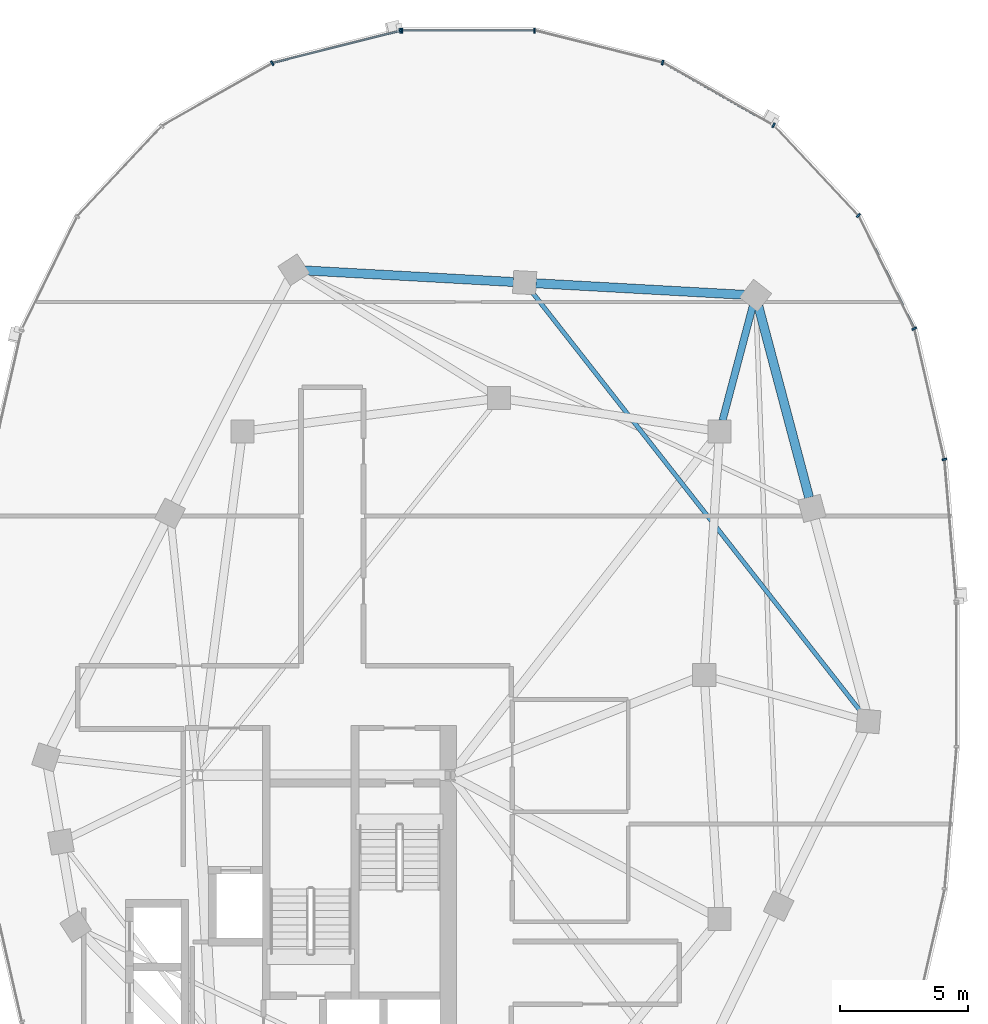
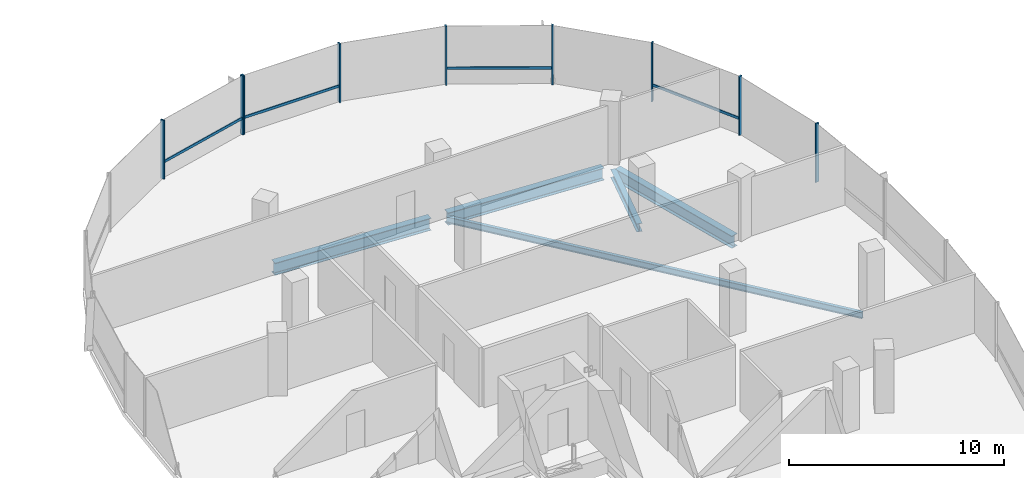
# One storey, part 12 of 25: 13 members, 5 beams, 2 elements without a shape of their own.
"""IFC4 building model written with IfcOpenShell, lengths in metres."""

import ifcopenshell
import ifcopenshell.guid

model = None  # the IFC model being written
_history = None  # IfcOwnerHistory: only IFC2X3 demands one
_inside = {}  # id of a spatial element -> (the spatial element, [elements in it])
_under = {}  # id of a project, library or spatial element -> (it, [spatial elements below it])
_declared = {}  # id of a project -> (the project, [libraries it declares])
_typed = {}  # id of a type object -> (the type object, [elements of that type])
_made_of = {}  # id of a material, layer set ... -> (it, [elements and type objects made of it])


def new_model(schema):
    """Start an empty IFC model of exactly this schema.

    Asked for "IFC4X3", IfcOpenShell would pick the latest addendum, in which some entities
    have other attributes; the version numbers below select the first issue.
    IFC2X3 requires an IfcOwnerHistory on every rooted entity: one is made here for all.
    """
    global model, _history
    if schema == "IFC4X3":
        model = ifcopenshell.file(schema_version=(4, 3, 0, 0))
    else:
        model = ifcopenshell.file(schema=schema)
    _inside.clear()
    _under.clear()
    _declared.clear()
    _typed.clear()
    _made_of.clear()
    _history = None
    if model.schema == "IFC2X3":
        org = make("IfcOrganization", Name="unknown")
        user = make(
            "IfcPersonAndOrganization",
            ThePerson=make("IfcPerson", FamilyName="unknown"),
            TheOrganization=org,
        )
        app = make(
            "IfcApplication",
            ApplicationDeveloper=org,
            Version="unknown",
            ApplicationFullName="unknown",
            ApplicationIdentifier="unknown",
        )
        _history = make(
            "IfcOwnerHistory",
            OwningUser=user,
            OwningApplication=app,
            ChangeAction="ADDED",
            CreationDate=0,
        )
    return model


def make(cls, **values):
    """One entity of the class cls with the attributes given. An attribute that is None is left unset."""
    return model.create_entity(
        cls, **{name: value for name, value in values.items() if value is not None}
    )


def rooted(cls, **values):
    """An entity with a GlobalId (a new one), such as an element, a storey or a relation."""
    return make(cls, GlobalId=ifcopenshell.guid.new(), OwnerHistory=_history, **values)


def si_unit(unit_type, name, prefix=None):
    """IfcSIUnit, for example si_unit("LENGTHUNIT", "METRE", prefix="MILLI")."""
    return make("IfcSIUnit", UnitType=unit_type, Prefix=prefix, Name=name)


def assignment(units):
    """IfcUnitAssignment: the units of a project."""
    return None if units is None else make("IfcUnitAssignment", Units=units)


def point(xyz):
    """IfcCartesianPoint."""
    return None if xyz is None else make("IfcCartesianPoint", Coordinates=xyz)


def direction(xyz):
    """IfcDirection."""
    return None if xyz is None else make("IfcDirection", DirectionRatios=xyz)


def frame(location, z_axis=None, x_axis=None):
    """IfcAxis2Placement3D, a coordinate frame: its origin and axes. An axis left out is left unset."""
    return make(
        "IfcAxis2Placement3D",
        Location=point(location),
        Axis=direction(z_axis),
        RefDirection=direction(x_axis),
    )


def frame_2d(location, x_axis=None):
    """IfcAxis2Placement2D, a coordinate frame in the plane: its origin and x axis."""
    return make(
        "IfcAxis2Placement2D", Location=point(location), RefDirection=direction(x_axis)
    )


def origin():
    """The frame at (0, 0, 0) with its axes left unset."""
    return frame((0.0, 0.0, 0.0))


def origin_2d():
    """The frame at (0, 0) in the plane with its x axis left unset."""
    return frame_2d((0.0, 0.0))


def place(relative_to, where):
    """IfcLocalPlacement: puts the frame where relative to a parent placement (None: the world)."""
    return make(
        "IfcLocalPlacement", PlacementRelTo=relative_to, RelativePlacement=where
    )


def context(
    kind, dimensions, precision=None, world=None, true_north=None, identifier=None
):
    """IfcGeometricRepresentationContext, for example the 3D "Model" context."""
    return make(
        "IfcGeometricRepresentationContext",
        ContextIdentifier=identifier,
        ContextType=kind,
        CoordinateSpaceDimension=dimensions,
        Precision=precision,
        WorldCoordinateSystem=world,
        TrueNorth=true_north,
    )


def subcontext(parent, identifier, kind, view, scale=None):
    """IfcGeometricRepresentationSubContext, for example "Body" below "Model"."""
    return make(
        "IfcGeometricRepresentationSubContext",
        ContextIdentifier=identifier,
        ContextType=kind,
        ParentContext=parent,
        TargetScale=scale,
        TargetView=view,
    )


def project(units=None, contexts=None):
    """IfcProject with its units and contexts."""
    return rooted(
        "IfcProject",
        Name="project",
        RepresentationContexts=contexts,
        UnitsInContext=assignment(units),
    )


def spatial(cls, under=None, at=None, **own):
    """A site, building, storey or space (cls), placed at a placement, below another one or the project."""
    s = rooted(cls, ObjectPlacement=at, **own)
    if under is not None:
        _under.setdefault(under.id(), (under, []))[1].append(s)
    return s


def profile(cls, at=None, kind="AREA", **sizes):
    """A parametric profile (cls). Its sizes go by their IFC names, for example OverallWidth=200.0."""
    return make(cls, ProfileType=kind, Position=at, **sizes)


def rectangle(**sizes):
    """IfcRectangleProfileDef."""
    return profile("IfcRectangleProfileDef", **sizes)


def i_section(**sizes):
    """IfcIShapeProfileDef."""
    return profile("IfcIShapeProfileDef", **sizes)


def extrude(swept, where, along, depth):
    """IfcExtrudedAreaSolid: the profile swept, set in the frame where, extruded along a direction by depth."""
    return make(
        "IfcExtrudedAreaSolid",
        SweptArea=swept,
        Position=where,
        ExtrudedDirection=direction(along),
        Depth=depth,
    )


def shape(context_of_items, identifier, shape_type, items):
    """IfcShapeRepresentation: the items that make up one representation, for example the "Body"."""
    return make(
        "IfcShapeRepresentation",
        ContextOfItems=context_of_items,
        RepresentationIdentifier=identifier,
        RepresentationType=shape_type,
        Items=items,
    )


def material(Name=None, Category=None):
    """IfcMaterial."""
    return make("IfcMaterial", Name=Name, Category=Category)


def material_profile(
    of_material, cross_section, Name=None, Category=None, Priority=None
):
    """IfcMaterialProfile: a cross section and its material."""
    return make(
        "IfcMaterialProfile",
        Name=Name,
        Material=of_material,
        Profile=cross_section,
        Priority=Priority,
        Category=Category,
    )


def profile_set(profiles, Name=None, composite=None):
    """IfcMaterialProfileSet."""
    return make(
        "IfcMaterialProfileSet",
        Name=Name,
        MaterialProfiles=profiles,
        CompositeProfile=composite,
    )


def made_of(thing, what):
    """Note that an element or type object is made of a material, layer set ...; save() writes the relation."""
    if what is not None:
        _made_of.setdefault(what.id(), (what, []))[1].append(thing)
    return thing


def type_object(cls, material=None, **own):
    """A type object (cls), such as IfcWallType, which elements share."""
    return made_of(rooted(cls, **own), material)


def element(
    cls,
    number,
    at=None,
    inside=None,
    cuts=None,
    type_object=None,
    material=None,
    context=None,
    identifier="Body",
    shape_type=None,
    held_by="IfcProductDefinitionShape",
    body=None,
    shapes=None,
    **own,
):
    """One element of the class cls, such as IfcWall. Its Tag is "e" and its number.

    at: its placement. inside: the storey or other place that contains it. cuts: it is an
    opening in that element (IfcRelVoidsElement). A single representation is given by context,
    identifier, shape_type and body (its items); several are given by shapes. held_by: the class
    of the entity that holds the representations. save() writes the other relations.
    """
    e = rooted(cls, Tag="e%d" % number, ObjectPlacement=at, **own)
    if body is not None:
        shapes = [shape(context, identifier, shape_type, body)]
    if shapes is not None:
        e.Representation = make(held_by, Representations=shapes)
    if inside is not None:
        _inside.setdefault(inside.id(), (inside, []))[1].append(e)
    if cuts is not None:
        rooted(
            "IfcRelVoidsElement", RelatingBuildingElement=cuts, RelatedOpeningElement=e
        )
    if type_object is not None:
        _typed.setdefault(type_object.id(), (type_object, []))[1].append(e)
    return made_of(e, material)


def aggregate(whole, parts):
    """IfcRelAggregates: a whole, such as a stair, and the parts it consists of."""
    return rooted("IfcRelAggregates", RelatingObject=whole, RelatedObjects=parts)


def save(model, path):
    """Write the relations noted so far, then the file.

    IfcRelAggregates (storeys below a building ...), IfcRelContainedInSpatialStructure (elements
    in a storey), IfcRelDefinesByType, IfcRelAssociatesMaterial and IfcRelDeclares: one each for
    every whole, place, type object, material and project.
    """
    for whole, parts in _under.values():
        aggregate(whole, parts)
    for where, things in _inside.values():
        rooted(
            "IfcRelContainedInSpatialStructure",
            RelatedElements=things,
            RelatingStructure=where,
        )
    for kind, things in _typed.values():
        rooted("IfcRelDefinesByType", RelatedObjects=things, RelatingType=kind)
    for what, things in _made_of.values():
        rooted("IfcRelAssociatesMaterial", RelatedObjects=things, RelatingMaterial=what)
    for by, libraries in _declared.values():
        rooted("IfcRelDeclares", RelatingContext=by, RelatedDefinitions=libraries)
    model.write(path)


model = new_model("IFC4")

# Units and contexts
model_context = context("Model", 3, precision=1e-05, world=origin(), true_north=direction((0.0, 1.0)))
body_context = subcontext(model_context, "Body", "Model", "MODEL_VIEW")
ifc_project = project(units=[si_unit("LENGTHUNIT", "METRE"), si_unit("AREAUNIT", "SQUARE_METRE"), si_unit("VOLUMEUNIT", "CUBIC_METRE"), si_unit("PLANEANGLEUNIT", "RADIAN"), si_unit("MASSUNIT", "GRAM", prefix="KILO"), si_unit("THERMODYNAMICTEMPERATUREUNIT", "KELVIN"), si_unit("POWERUNIT", "WATT")], contexts=[model_context])

# Site, building, storey
site_placement = place(None, origin())
site = spatial("IfcSite", under=ifc_project, at=site_placement, CompositionType="ELEMENT")
building_placement = place(site_placement, origin())
building = spatial("IfcBuilding", under=site, at=building_placement, Name="Cundina Bronze Exchange", CompositionType="ELEMENT")
storey_placement = place(building_placement, frame((0.0, 0.0, 224.199951171875)))
storey = spatial("IfcBuildingStorey", under=building, at=storey_placement, Name="L59", CompositionType="ELEMENT", Elevation=224.199951171875)

# Beams
ifc_material_1 = material(Name="Steel ASTM A992 Grade 50", Category="steel")
ifc_material_profile_1 = material_profile(ifc_material_1, i_section(OverallWidth=0.280029296875, OverallDepth=0.462890625, WebThickness=0.0107421875, FlangeThickness=0.017333984375, FilletRadius=0.011962890625, at=origin_2d()), Name="W18X76", Category="steel")
ifc_profile_set_1 = profile_set([ifc_material_profile_1], Name="Steel ASTM A992 Grade 50")
beam_type_1 = type_object("IfcBeamType", Name="BM-FLR-W18A", PredefinedType="BEAM", material=ifc_profile_set_1)
beam_1_placement = place(storey_placement, frame((41.911865234375, 9.923583984375, -0.491455078125), z_axis=(0.255398602339, 0.96683584642, 0.0), x_axis=(-0.96683584642, 0.255398602339, 0.0)))
element("IfcBeam", 1, at=beam_1_placement, inside=storey, type_object=beam_type_1, Name="L59 Leg E Chordal Floor Beam 10", PredefinedType="BEAM", context=body_context, shape_type="SweptSolid", body=[
    extrude(i_section(OverallWidth=0.280029296875, OverallDepth=0.462890625, WebThickness=0.0107421875, FlangeThickness=0.017333984375, FilletRadius=0.011962890625, at=origin_2d()), origin(), (0.0, 0.0, 1.0), 4.605712890625),
])
ifc_material_profile_2 = material_profile(ifc_material_1, i_section(OverallWidth=0.172119140625, OverallDepth=0.35791015625, WebThickness=0.0078125, FlangeThickness=0.01318359375, FilletRadius=0.010009765625, at=origin_2d()), Name="W14X38", Category="steel")
ifc_profile_set_2 = profile_set([ifc_material_profile_2], Name="Steel ASTM A992 Grade 50")
beam_type_2 = type_object("IfcBeamType", Name="BM-JST-W14", PredefinedType="JOIST", material=ifc_profile_set_2)
beam_2_placement = place(storey_placement, frame((47.329833984375, -1.455078125, -0.43896484375), z_axis=(-0.616810493522, 0.787111691618, 0.0), x_axis=(-0.787111691618, -0.616810493522, 0.0)))
element("IfcBeam", 2, at=beam_2_placement, inside=storey, type_object=beam_type_2, Name="L59 Leg E Lobe Floor Joist 08-11", PredefinedType="JOIST", context=body_context, shape_type="SweptSolid", body=[
    extrude(i_section(OverallWidth=0.172119140625, OverallDepth=0.35791015625, WebThickness=0.0078125, FlangeThickness=0.01318359375, FilletRadius=0.010009765625, at=origin_2d()), origin(), (0.0, 0.0, 1.0), 20.8486328125),
])
ifc_material_profile_3 = material_profile(ifc_material_1, i_section(OverallWidth=0.35498046875, OverallDepth=0.695068359375, WebThickness=0.015380859375, FlangeThickness=0.02490234375, FilletRadius=0.01806640625, at=origin_2d()), Name="W27X146", Category="steel")
ifc_profile_set_3 = profile_set([ifc_material_profile_3], Name="Steel ASTM A992 Grade 50")
beam_type_3 = type_object("IfcBeamType", Name="BM-RING-W27", PredefinedType="USERDEFINED", material=ifc_profile_set_3)
beam_3_placement = place(storey_placement, frame((45.287841796875, 6.92333984375, -0.607421875), z_axis=(-0.256211934474, 0.966620631185, 0.0), x_axis=(-0.966620631185, -0.256211934474, 0.0)))
element("IfcBeam", 3, at=beam_3_placement, inside=storey, type_object=beam_type_3, Name="L59 E Perimeter Ring Girder 09", ObjectType="GIRDER", PredefinedType="USERDEFINED", context=body_context, shape_type="SweptSolid", body=[
    extrude(i_section(OverallWidth=0.35498046875, OverallDepth=0.695068359375, WebThickness=0.015380859375, FlangeThickness=0.02490234375, FilletRadius=0.01806640625, at=origin_2d()), origin(), (0.0, 0.0, 1.0), 7.710693359375),
])
for number, where, z_axis, x_axis, name in (
    (4, (42.7626953125, 14.82421875, -0.607421875), (-0.998460353205, 0.055470019623, 0.0), (-0.055470019623, -0.998460353205, 0.0), "L59 E Perimeter Ring Girder 10"),
    (5, (33.7626953125, 15.32421875, -0.607421875), (-0.998460353205, 0.055470019623, 0.0), (-0.055470019623, -0.998460353205, 0.0), "L59 E Perimeter Ring Girder 11"),
):
    element("IfcBeam", number, at=place(storey_placement, frame(where, z_axis=z_axis, x_axis=x_axis)), inside=storey, type_object=beam_type_3, Name=name, ObjectType="GIRDER", PredefinedType="USERDEFINED", context=body_context, shape_type="SweptSolid", body=[
        extrude(i_section(OverallWidth=0.35498046875, OverallDepth=0.695068359375, WebThickness=0.015380859375, FlangeThickness=0.02490234375, FilletRadius=0.01806640625, at=origin_2d()), origin(), (0.0, 0.0, 1.0), 8.137939453125),
    ])

# Curtain wall, members
ifc_material_2 = material(Name="Anodised Bronze Aluminium 6063-T6", Category="aluminium")
curtain_wall_type = type_object("IfcCurtainWallType", Name="CWS-UPP-OFF", PredefinedType="NOTDEFINED", material=ifc_material_2)
curtain_wall_1_placement = place(storey_placement, origin())
curtain_wall_1 = element("IfcCurtainWall", 6, at=curtain_wall_1_placement, inside=storey, type_object=curtain_wall_type, Name="L59 CW-05 Curtain Wall Run CWR-L59-E1", PredefinedType="NOTDEFINED")
ifc_material_profile_4 = material_profile(ifc_material_2, rectangle(XDim=0.070068359375, YDim=0.18994140625, at=origin_2d()), Name="AL70X190", Category="aluminium")
ifc_profile_set_4 = profile_set([ifc_material_profile_4], Name="Anodised Bronze Aluminium 6063-T6")
member_type_1 = type_object("IfcMemberType", Name="CWM-MUL-190", PredefinedType="MULLION", material=ifc_profile_set_4)
member_1_placement = place(storey_placement, frame((50.56005859375, 8.4111328125, 0.0), z_axis=(0.0, 0.0, 1.0), x_axis=(-0.223250116011, 0.974761194191, 0.0)))
member_1 = element("IfcMember", 7, at=member_1_placement, type_object=member_type_1, Name="CW-05 Mullion 2", PredefinedType="MULLION", context=body_context, shape_type="SweptSolid", body=[
    extrude(rectangle(XDim=0.070068359375, YDim=0.18994140625, at=origin_2d()), origin(), (0.0, 0.0, 1.0), 3.340087890625),
])
member_2_placement = place(storey_placement, frame((49.38427734375, 13.50732421875, 0.0), z_axis=(0.0, 0.0, 1.0), x_axis=(-0.440566004113, 0.897720221461, 0.0)))
member_2 = element("IfcMember", 8, at=member_2_placement, type_object=member_type_1, Name="CW-05 Mullion 3", PredefinedType="MULLION", context=body_context, shape_type="SweptSolid", body=[
    extrude(rectangle(XDim=0.070068359375, YDim=0.18994140625, at=origin_2d()), origin(), (0.0, 0.0, 1.0), 3.340087890625),
])
member_3_placement = place(storey_placement, frame((47.209716796875, 17.91796875, 0.0), z_axis=(0.0, 0.0, 1.0), x_axis=(-0.684292606175, 0.729207535023, 0.0)))
member_3 = element("IfcMember", 9, at=member_3_placement, type_object=member_type_1, Name="CW-05 Mullion 4", PredefinedType="MULLION", context=body_context, shape_type="SweptSolid", body=[
    extrude(rectangle(XDim=0.070068359375, YDim=0.18994140625, at=origin_2d()), origin(), (0.0, 0.0, 1.0), 3.340087890625),
])
member_4_placement = place(storey_placement, frame((43.899658203125, 21.43115234375, 0.0), z_axis=(0.0, 0.0, 1.0), x_axis=(-0.86958112538, 0.493790103568, 0.0)))
member_4 = element("IfcMember", 10, at=member_4_placement, type_object=member_type_1, Name="CW-05 Mullion 5", PredefinedType="MULLION", context=body_context, shape_type="SweptSolid", body=[
    extrude(rectangle(XDim=0.070068359375, YDim=0.18994140625, at=origin_2d()), origin(), (0.0, 0.0, 1.0), 3.340087890625),
])
member_5_placement = place(storey_placement, frame((39.577392578125, 23.87548828125, 0.0), z_axis=(0.0, 0.0, 1.0), x_axis=(-0.969744325821, 0.244122802168, 0.0)))
member_5 = element("IfcMember", 11, at=member_5_placement, type_object=member_type_1, Name="CW-05 Mullion 6", PredefinedType="MULLION", context=body_context, shape_type="SweptSolid", body=[
    extrude(rectangle(XDim=0.070068359375, YDim=0.18994140625, at=origin_2d()), origin(), (0.0, 0.0, 1.0), 3.340087890625),
])
member_6_placement = place(storey_placement, frame((34.580078125, 25.125, 0.0), z_axis=(0.0, 0.0, 1.0), x_axis=(-1.0, 0.0, 0.0)))
member_6 = element("IfcMember", 12, at=member_6_placement, type_object=member_type_1, Name="CW-05 Mullion 7", PredefinedType="MULLION", context=body_context, shape_type="SweptSolid", body=[
    extrude(rectangle(XDim=0.070068359375, YDim=0.18994140625, at=origin_2d()), origin(), (0.0, 0.0, 1.0), 3.340087890625),
])
member_7_placement = place(storey_placement, frame((29.419921875, 25.125, 0.0), z_axis=(0.0, 0.0, 1.0), x_axis=(-1.0, 0.0, 0.0)))
member_7 = element("IfcMember", 13, at=member_7_placement, type_object=member_type_1, Name="CW-05 End Mullion", PredefinedType="MULLION", context=body_context, shape_type="SweptSolid", body=[
    extrude(rectangle(XDim=0.070068359375, YDim=0.18994140625, at=origin_2d()), origin(), (0.0, 0.0, 1.0), 3.340087890625),
])

curtain_wall_2_placement = place(storey_placement, origin())
curtain_wall_2 = element("IfcCurtainWall", 14, at=curtain_wall_2_placement, inside=storey, type_object=curtain_wall_type, Name="L59 CW-05 Curtain Wall Run CWR-L59-E2", PredefinedType="NOTDEFINED")
member_8_placement = place(storey_placement, frame((29.3515625, 25.116455078125, 0.0), z_axis=(0.0, 0.0, 1.0), x_axis=(-0.969744325821, -0.244122802168, 0.0)))
member_8 = element("IfcMember", 15, at=member_8_placement, type_object=member_type_1, Name="CW-05 Mullion 1", PredefinedType="MULLION", context=body_context, shape_type="SweptSolid", body=[
    extrude(rectangle(XDim=0.070068359375, YDim=0.18994140625, at=origin_2d()), origin(), (0.0, 0.0, 1.0), 3.340087890625),
])
member_9_placement = place(storey_placement, frame((24.361083984375, 23.850830078125, 0.0), z_axis=(0.0, 0.0, 1.0), x_axis=(-0.86958112538, -0.493790103568, 0.0)))
member_9 = element("IfcMember", 16, at=member_9_placement, type_object=member_type_1, Name="CW-05 Mullion 2", PredefinedType="MULLION", context=body_context, shape_type="SweptSolid", body=[
    extrude(rectangle(XDim=0.070068359375, YDim=0.18994140625, at=origin_2d()), origin(), (0.0, 0.0, 1.0), 3.340087890625),
])

# Member
ifc_material_profile_5 = material_profile(ifc_material_2, rectangle(XDim=0.06494140625, YDim=0.14990234375, at=origin_2d()), Name="AL65X150", Category="aluminium")
ifc_profile_set_5 = profile_set([ifc_material_profile_5], Name="Anodised Bronze Aluminium 6063-T6")
member_type_2 = type_object("IfcMemberType", Name="CWM-TRN-150", PredefinedType="USERDEFINED", material=ifc_profile_set_5)
member_10_placement = place(storey_placement, frame((49.3671875, 13.5419921875, 0.920166015625), z_axis=(-0.440483110889, 0.897760897467, 0.0), x_axis=(-0.897760897467, -0.440483110889, 0.0)))
member_10 = element("IfcMember", 17, at=member_10_placement, type_object=member_type_2, Name="CW-05 Spandrel Transom 3", ObjectType="TRANSOM", PredefinedType="USERDEFINED", context=body_context, shape_type="SweptSolid", body=[
    extrude(rectangle(XDim=0.06494140625, YDim=0.14990234375, at=origin_2d()), origin(), (0.0, 0.0, 1.0), 4.855224609375),
])

member_11_placement = place(storey_placement, frame((43.8662109375, 21.4501953125, 0.920166015625), z_axis=(-0.869573748083, 0.493803095013, 0.0), x_axis=(-0.493803095013, -0.869573748083, 0.0)))
member_11 = element("IfcMember", 18, at=member_11_placement, type_object=member_type_2, Name="CW-05 Spandrel Transom 5", ObjectType="TRANSOM", PredefinedType="USERDEFINED", context=body_context, shape_type="SweptSolid", body=[
    extrude(rectangle(XDim=0.06494140625, YDim=0.14990234375, at=origin_2d()), origin(), (0.0, 0.0, 1.0), 4.900146484375),
])

member_12_placement = place(storey_placement, frame((34.54150390625, 25.125, 0.920166015625), z_axis=(-1.0, 0.0, 0.0), x_axis=(0.0, -1.0, 0.0)))
member_12 = element("IfcMember", 19, at=member_12_placement, type_object=member_type_2, Name="CW-05 Spandrel Transom 7", ObjectType="TRANSOM", PredefinedType="USERDEFINED", context=body_context, shape_type="SweptSolid", body=[
    extrude(rectangle(XDim=0.06494140625, YDim=0.14990234375, at=origin_2d()), origin(), (0.0, 0.0, 1.0), 5.0830078125),
])

aggregate(curtain_wall_1, [member_1, member_2, member_10, member_3, member_4, member_11, member_5, member_6, member_7, member_12])

member_13_placement = place(storey_placement, frame((29.314208984375, 25.107177734375, 0.920166015625), z_axis=(-0.969725738797, -0.244196624699, 0.0), x_axis=(0.244196624699, -0.969725738797, 0.0)))
member_13 = element("IfcMember", 20, at=member_13_placement, type_object=member_type_2, Name="CW-05 Spandrel Transom 1", ObjectType="TRANSOM", PredefinedType="USERDEFINED", context=body_context, shape_type="SweptSolid", body=[
    extrude(rectangle(XDim=0.06494140625, YDim=0.14990234375, at=origin_2d()), origin(), (0.0, 0.0, 1.0), 5.082763671875),
])

aggregate(curtain_wall_2, [member_8, member_13, member_9])

save(model, "model.ifc")
